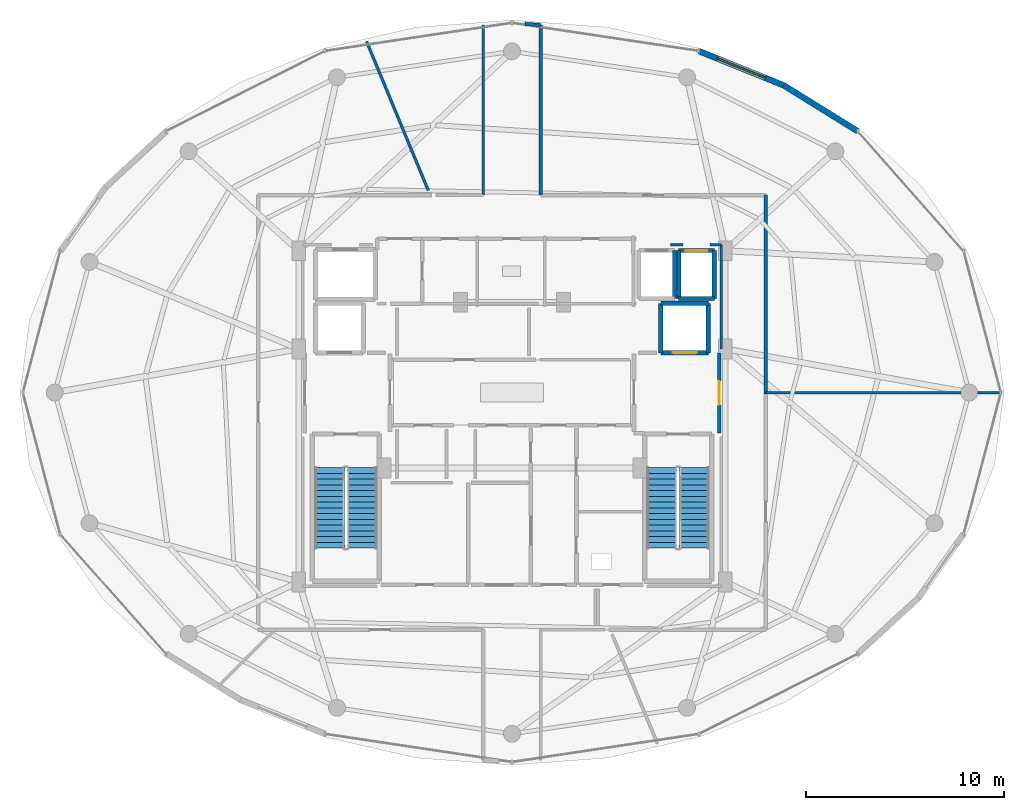
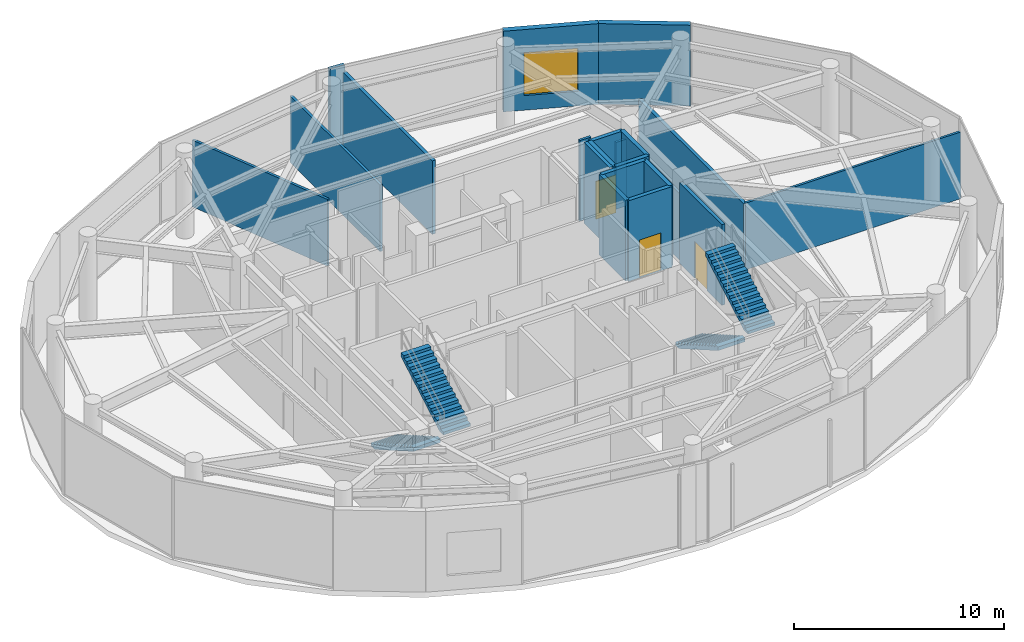
# One storey, part 22 of 24: 21 walls, 4 stair flights, 3 doors, 1 window, 4 openings, 2 elements without a shape of their own.
"""IFC4 building model written with IfcOpenShell, lengths in metres."""

from ifc_helpers import new_model, si_unit, direction, frame, frame_2d, origin, place, context, subcontext, project, spatial, polyline, rectangle, outline, extrude, material, layer, layer_set, type_object, element, fill, aggregate, save


model = new_model("IFC4")

# Units and contexts
model_context = context("Model", 3, precision=1e-05, world=origin(), true_north=direction((0.0, 1.0)))
body_context = subcontext(model_context, "Body", "Model", "MODEL_VIEW")
ifc_project = project(units=[si_unit("LENGTHUNIT", "METRE"), si_unit("AREAUNIT", "SQUARE_METRE"), si_unit("VOLUMEUNIT", "CUBIC_METRE"), si_unit("PLANEANGLEUNIT", "RADIAN"), si_unit("MASSUNIT", "GRAM", prefix="KILO")], contexts=[model_context])

# Site, building, storey
site_placement = place(None, origin())
site = spatial("IfcSite", under=ifc_project, at=site_placement, CompositionType="ELEMENT")
building_placement = place(site_placement, origin())
building = spatial("IfcBuilding", under=site, at=building_placement, Name="Vorneva Point Tower", CompositionType="ELEMENT")
storey_placement = place(building_placement, frame((0.0, 0.0, 285.39990234375)))
storey = spatial("IfcBuildingStorey", under=building, at=storey_placement, Name="L77", CompositionType="ELEMENT", Elevation=285.39990234375)

# Wall, opening, door
ifc_material_1 = material(Name="Concrete B60 (C50/60)", Category="concrete")
ifc_layer_1 = layer(ifc_material_1, 0.35009765625)
ifc_layer_set_1 = layer_set([ifc_layer_1], Name="Concrete B60 (C50/60)")
wall_type_1 = type_object("IfcWallType", Name="WL-CORE-350", PredefinedType="SHEAR", material=ifc_layer_set_1)
wall_1_placement = place(storey_placement, frame((45.5, 28.0, 0.0), z_axis=(0.0, 0.0, 1.0), x_axis=(1.0, 0.0, 0.0)))
wall_1 = element("IfcWall", 1, at=wall_1_placement, inside=storey, type_object=wall_type_1, Name="L77 Lift FFL2 Shaft Wall -Y", PredefinedType="SHEAR", context=body_context, shape_type="SweptSolid", body=[
    extrude(rectangle(XDim=2.39990234375, YDim=0.219970703125, at=frame_2d((1.199951171875, 0.0))), origin(), (0.0, 0.0, 1.0), 4.690185546875),
])
opening_1_placement = place(wall_1_placement, frame((0.60009765625, 0.0, 0.0)))
opening_1 = element("IfcOpeningElement", 2, at=opening_1_placement, cuts=wall_1, Name="Opening LD-02", PredefinedType="OPENING", context=body_context, shape_type="SweptSolid", body=[
    extrude(rectangle(XDim=1.199951171875, YDim=2.199951171875, at=frame_2d((0.60009765625, 1.10009765625))), frame((0.0, 0.125, 0.0), z_axis=(0.0, -1.0, 0.0), x_axis=(1.0, 0.0, 0.0)), (0.0, 0.0, 1.0), 0.249755859375),
])
ifc_material_2 = material(Name="Brushed stainless steel S304", Category="steel")
door_type_1 = type_object("IfcDoorType", Name="LD-FIRE-1200", OperationType="SLIDING_TO_LEFT", PredefinedType="DOOR", material=ifc_material_2)
door_1_placement = place(opening_1_placement, origin())
door_1 = element("IfcDoor", 3, at=door_1_placement, inside=storey, type_object=door_type_1, Name="L77 Lift FFL2 Sliding Landing Door", OperationType="SLIDING_TO_LEFT", OverallHeight=2.199951171875, OverallWidth=1.199951171875, PredefinedType="DOOR", context=body_context, shape_type="SweptSolid", body=[
    extrude(rectangle(XDim=1.199951171875, YDim=2.199951171875, at=frame_2d((0.60009765625, 1.10009765625))), frame((0.0, 0.02490234375, 0.0), z_axis=(0.0, -1.0, 0.0), x_axis=(1.0, 0.0, 0.0)), (0.0, 0.0, 1.0), 0.050048828125),
])
fill(opening_1, door_1)

# Walls
wall_2_placement = place(storey_placement, frame((47.89990234375, 28.0, 0.0), z_axis=(0.0, 0.0, 1.0), x_axis=(0.0, 1.0, 0.0)))
element("IfcWall", 4, at=wall_2_placement, inside=storey, type_object=wall_type_1, Name="L77 Lift FFL2 Shaft Wall +X", PredefinedType="SHEAR", context=body_context, shape_type="SweptSolid", body=[
    extrude(rectangle(XDim=2.5, YDim=0.219970703125, at=frame_2d((1.25, 0.0))), origin(), (0.0, 0.0, 1.0), 4.690185546875),
])
wall_3_placement = place(storey_placement, frame((47.89990234375, 30.5, 0.0), z_axis=(0.0, 0.0, 1.0), x_axis=(-1.0, 0.0, 0.0)))
element("IfcWall", 5, at=wall_3_placement, inside=storey, type_object=wall_type_1, Name="L77 Lift FFL2 Shaft Wall +Y", PredefinedType="SHEAR", context=body_context, shape_type="SweptSolid", body=[
    extrude(rectangle(XDim=2.39990234375, YDim=0.219970703125, at=frame_2d((1.199951171875, 0.0))), origin(), (0.0, 0.0, 1.0), 4.690185546875),
])
wall_4_placement = place(storey_placement, frame((45.5, 30.5, 0.0), z_axis=(0.0, 0.0, 1.0), x_axis=(0.0, -1.0, 0.0)))
element("IfcWall", 6, at=wall_4_placement, inside=storey, type_object=wall_type_1, Name="L77 Lift FFL2 Shaft Wall -X", PredefinedType="SHEAR", context=body_context, shape_type="SweptSolid", body=[
    extrude(rectangle(XDim=2.5, YDim=0.219970703125, at=frame_2d((1.25, 0.0))), origin(), (0.0, 0.0, 1.0), 4.690185546875),
])
ifc_material_3 = material(Name="Precast concrete B50 (C40/50)", Category="concrete")
ifc_layer_2 = layer(ifc_material_3, 0.300048828125)
ifc_layer_set_2 = layer_set([ifc_layer_2], Name="Precast concrete B50 (C40/50)")
wall_type_2 = type_object("IfcWallType", Name="WL-EXT-300", PredefinedType="STANDARD", material=ifc_layer_set_2)
wall_5_placement = place(storey_placement, frame((55.43017578125, 39.17333984375, 0.0), z_axis=(0.0, 0.0, 1.0), x_axis=(-0.849803177952, 0.527100141096, 0.0)))
element("IfcWall", 7, at=wall_5_placement, inside=storey, type_object=wall_type_2, Name="L77 Pale-Metal Facade Spandrel Wall 03.1", PredefinedType="STANDARD", context=body_context, shape_type="SweptSolid", body=[
    extrude(rectangle(XDim=4.3955078125, YDim=0.300048828125, at=frame_2d((2.19775390625, 0.0))), origin(), (0.0, 0.0, 1.0), 4.690185546875),
])

# Wall, opening, window
wall_6_placement = place(storey_placement, frame((51.69482421875, 41.490234375, 0.0), z_axis=(0.0, 0.0, 1.0), x_axis=(-0.927196432407, 0.374575460663, 0.0)))
wall_6 = element("IfcWall", 8, at=wall_6_placement, inside=storey, type_object=wall_type_2, Name="L77 Pale-Metal Facade Spandrel Wall 03.2", PredefinedType="STANDARD", context=body_context, shape_type="SweptSolid", body=[
    extrude(rectangle(XDim=4.596435546875, YDim=0.300048828125, at=frame_2d((2.29833984375, 0.0))), origin(), (0.0, 0.0, 1.0), 4.690185546875),
])
opening_2_placement = place(wall_6_placement, frame((0.998291015625, 0.0, 0.85009765625)))
opening_2 = element("IfcOpeningElement", 9, at=opening_2_placement, cuts=wall_6, Name="Opening W-06", PredefinedType="OPENING", context=body_context, shape_type="SweptSolid", body=[
    extrude(rectangle(XDim=2.60009765625, YDim=2.5, at=frame_2d((1.300048828125, 1.25))), frame((0.0, 0.1650390625, 0.0), z_axis=(0.0, -1.0, 0.0), x_axis=(1.0, 0.0, 0.0)), (0.0, 0.0, 1.0), 0.329833984375),
])
ifc_material_4 = material(Name="Double low-e laminated glass IGU", Category="glass")
window_type = type_object("IfcWindowType", Name="WN-OBS-2600", PartitioningType="SINGLE_PANEL", PredefinedType="WINDOW", material=ifc_material_4)
window_placement = place(opening_2_placement, origin())
window = element("IfcWindow", 10, at=window_placement, inside=storey, type_object=window_type, Name="L77 Facade Window 03", OverallHeight=2.5, OverallWidth=2.60009765625, PartitioningType="SINGLE_PANEL", PredefinedType="WINDOW", context=body_context, shape_type="SweptSolid", body=[
    extrude(rectangle(XDim=2.60009765625, YDim=2.5, at=frame_2d((1.300048828125, 1.25))), frame((0.0, 0.030029296875, 0.0), z_axis=(0.0, -1.0, 0.0), x_axis=(1.0, 0.0, 0.0)), (0.0, 0.0, 1.0), 0.06005859375),
])
fill(opening_2, window)

# Walls
ifc_material_5 = material(Name="Fire-rated acoustic gypsum stud partition", Category="gypsum")
ifc_layer_3 = layer(ifc_material_5, 0.125)
ifc_layer_set_3 = layer_set([ifc_layer_3], Name="Fire-rated acoustic gypsum stud partition")
wall_type_3 = type_object("IfcWallType", Name="WL-PART-125", PredefinedType="PARTITIONING", material=ifc_layer_set_3)
wall_7_placement = place(storey_placement, frame((50.800048828125, 26.0, 0.0), z_axis=(0.0, 0.0, 1.0), x_axis=(1.0, 0.0, 0.0)))
element("IfcWall", 11, at=wall_7_placement, inside=storey, type_object=wall_type_3, Name="L77 Interior Partition 047", PredefinedType="PARTITIONING", context=body_context, shape_type="SweptSolid", body=[
    extrude(rectangle(XDim=11.848876953125, YDim=0.125, at=frame_2d((5.92431640625, 0.0))), origin(), (0.0, 0.0, 1.0), 3.882080078125),
])
ifc_layer_4 = layer(ifc_material_5, 0.139892578125)
ifc_layer_set_4 = layer_set([ifc_layer_4], Name="Fire-rated acoustic gypsum stud partition")
wall_type_4 = type_object("IfcWallType", Name="WL-PART-140", PredefinedType="PARTITIONING", material=ifc_layer_set_4)
wall_8_placement = place(storey_placement, frame((36.550048828125, 44.52099609375, 0.0), z_axis=(0.0, 0.0, 1.0), x_axis=(0.0, -1.0, 0.0)))
element("IfcWall", 12, at=wall_8_placement, inside=storey, type_object=wall_type_4, Name="L77 Interior Closure Partition 060", PredefinedType="PARTITIONING", context=body_context, shape_type="SweptSolid", body=[
    extrude(rectangle(XDim=8.571044921875, YDim=0.139892578125, at=frame_2d((4.28564453125, 0.0))), origin(), (0.0, 0.0, 1.0), 3.882080078125),
])
wall_9_placement = place(storey_placement, frame((48.550048828125, 28.196044921875, 0.0), z_axis=(0.0, 0.0, 1.0), x_axis=(0.0, 1.0, 0.0)))
element("IfcWall", 13, at=wall_9_placement, inside=storey, type_object=wall_type_4, Name="L77 Interior Closure Partition 067", PredefinedType="PARTITIONING", context=body_context, shape_type="SweptSolid", body=[
    extrude(rectangle(XDim=5.25390625, YDim=0.139892578125, at=frame_2d((2.626953125, 0.0))), origin(), (0.0, 0.0, 1.0), 3.882080078125),
])
wall_10_placement = place(storey_placement, frame((48.550048828125, 33.449951171875, 0.0), z_axis=(0.0, 0.0, 1.0), x_axis=(-1.0, 0.0, 0.0)))
element("IfcWall", 14, at=wall_10_placement, inside=storey, type_object=wall_type_4, Name="L77 Interior Closure Partition 068", PredefinedType="PARTITIONING", context=body_context, shape_type="SweptSolid", body=[
    extrude(rectangle(XDim=0.55908203125, YDim=0.139892578125, at=frame_2d((0.279541015625, 0.0))), origin(), (0.0, 0.0, 1.0), 3.882080078125),
])
wall_11_placement = place(storey_placement, frame((46.60888671875, 33.449951171875, 0.0), z_axis=(0.0, 0.0, 1.0), x_axis=(-1.0, 0.0, 0.0)))
element("IfcWall", 15, at=wall_11_placement, inside=storey, type_object=wall_type_4, Name="L77 Interior Closure Partition 069", PredefinedType="PARTITIONING", context=body_context, shape_type="SweptSolid", body=[
    extrude(rectangle(XDim=0.617919921875, YDim=0.139892578125, at=frame_2d((0.30908203125, 0.0))), origin(), (0.0, 0.0, 1.0), 4.690185546875),
])
wall_12_placement = place(storey_placement, frame((33.779052734375, 36.19091796875, 0.0), z_axis=(0.0, 0.0, 1.0), x_axis=(-0.382750958464, 0.923851559394, 0.0)))
element("IfcWall", 16, at=wall_12_placement, inside=storey, type_object=wall_type_4, Name="L77 Interior Closure Partition 076", PredefinedType="PARTITIONING", context=body_context, shape_type="SweptSolid", body=[
    extrude(rectangle(XDim=8.12060546875, YDim=0.139892578125, at=frame_2d((4.060302734375, 0.0))), origin(), (0.0, 0.0, 1.0), 3.882080078125),
])

# Wall, opening, door
ifc_material_6 = material(Name="Autoclaved aerated concrete blockwork", Category="masonry")
ifc_layer_5 = layer(ifc_material_6, 0.179931640625)
ifc_layer_set_5 = layer_set([ifc_layer_5], Name="Autoclaved aerated concrete blockwork")
wall_type_5 = type_object("IfcWallType", Name="WL-PART-180", PredefinedType="PARTITIONING", material=ifc_layer_set_5)
wall_13_placement = place(storey_placement, frame((48.449951171875, 23.949951171875, 0.0), z_axis=(0.0, 0.0, 1.0), x_axis=(0.0, 1.0, 0.0)))
wall_13 = element("IfcWall", 17, at=wall_13_placement, inside=storey, type_object=wall_type_5, Name="L77 Interior Partition 005", PredefinedType="PARTITIONING", context=body_context, shape_type="SweptSolid", body=[
    extrude(rectangle(XDim=4.050048828125, YDim=0.179931640625, at=frame_2d((2.02490234375, 0.0))), origin(), (0.0, 0.0, 1.0), 4.690185546875),
])
opening_3_placement = place(wall_13_placement, frame((1.425048828125, 0.0, 0.0)))
opening_3 = element("IfcOpeningElement", 18, at=opening_3_placement, cuts=wall_13, Name="Opening FD-02", PredefinedType="OPENING", context=body_context, shape_type="SweptSolid", body=[
    extrude(rectangle(XDim=1.199951171875, YDim=2.14990234375, at=frame_2d((0.60009765625, 1.074951171875))), frame((0.0, 0.10498046875, 0.0), z_axis=(0.0, -1.0, 0.0), x_axis=(1.0, 0.0, 0.0)), (0.0, 0.0, 1.0), 0.209716796875),
])
ifc_material_7 = material(Name="Fire-rated powder-coated steel", Category="steel")
door_type_2 = type_object("IfcDoorType", Name="DR-FFL-1200", OperationType="NOTDEFINED", PredefinedType="DOOR", material=ifc_material_7)
door_2_placement = place(opening_3_placement, origin())
door_2 = element("IfcDoor", 19, at=door_2_placement, inside=storey, type_object=door_type_2, Name="L77 Door East Firefighting Lobby / L77 Circulation Corridor", OperationType="SINGLE_SWING_LEFT", OverallHeight=2.14990234375, OverallWidth=1.199951171875, PredefinedType="DOOR", context=body_context, shape_type="SweptSolid", body=[
    extrude(rectangle(XDim=1.199951171875, YDim=2.14990234375, at=frame_2d((0.60009765625, 1.074951171875))), frame((0.0, 0.02490234375, 0.0), z_axis=(0.0, -1.0, 0.0), x_axis=(1.0, 0.0, 0.0)), (0.0, 0.0, 1.0), 0.050048828125),
])
fill(opening_3, door_2)

# Walls
wall_14_placement = place(storey_placement, frame((39.449951171875, 44.52099609375, 0.0), z_axis=(0.0, 0.0, 1.0), x_axis=(-0.997215374878, 0.074575439036, 0.0)))
element("IfcWall", 20, at=wall_14_placement, inside=storey, type_object=wall_type_5, Name="L77 Interior Partition 035", PredefinedType="PARTITIONING", context=body_context, shape_type="SweptSolid", body=[
    extrude(rectangle(XDim=0.792236328125, YDim=0.179931640625, at=frame_2d((0.39599609375, 0.0))), origin(), (0.0, 0.0, 1.0), 4.690185546875),
])
wall_15_placement = place(storey_placement, frame((50.800048828125, 25.93994140625, 0.0), z_axis=(0.0, 0.0, 1.0), x_axis=(0.0, 1.0, 0.0)))
element("IfcWall", 21, at=wall_15_placement, inside=storey, type_object=wall_type_5, Name="L77 Interior Partition 036", PredefinedType="PARTITIONING", context=body_context, shape_type="SweptSolid", body=[
    extrude(rectangle(XDim=10.010009765625, YDim=0.179931640625, at=frame_2d((5.0048828125, 0.0))), origin(), (0.0, 0.0, 1.0), 3.882080078125),
])
wall_16_placement = place(storey_placement, frame((39.449951171875, 35.949951171875, 0.0), z_axis=(0.0, 0.0, 1.0), x_axis=(0.0, 1.0, 0.0)))
element("IfcWall", 22, at=wall_16_placement, inside=storey, type_object=wall_type_5, Name="L77 Interior Partition 038", PredefinedType="PARTITIONING", context=body_context, shape_type="SweptSolid", body=[
    extrude(rectangle(XDim=8.571044921875, YDim=0.179931640625, at=frame_2d((4.28564453125, 0.0))), origin(), (0.0, 0.0, 1.0), 4.274169921875),
])
ifc_material_8 = material(Name="Concrete B50 (C40/50)", Category="concrete")
ifc_layer_6 = layer(ifc_material_8, 0.219970703125)
ifc_layer_set_6 = layer_set([ifc_layer_6], Name="Concrete B50 (C40/50)")
wall_type_6 = type_object("IfcWallType", Name="WL-SHFT-220", PredefinedType="SOLIDWALL", material=ifc_layer_set_6)
wall_17_placement = place(storey_placement, frame((46.199951171875, 30.739990234375, 0.0), z_axis=(0.0, 0.0, 1.0), x_axis=(0.0, 1.0, 0.0)))
element("IfcWall", 23, at=wall_17_placement, inside=storey, type_object=wall_type_6, Name="L77 Lift EX1 Shaft Wall +X", PredefinedType="SOLIDWALL", context=body_context, shape_type="SweptSolid", body=[
    extrude(rectangle(XDim=2.419921875, YDim=0.219970703125, at=frame_2d((1.2099609375, 0.0))), origin(), (0.0, 0.0, 1.0), 4.690185546875),
])
wall_18_placement = place(storey_placement, frame((46.39990234375, 30.739990234375, 0.0), z_axis=(0.0, 0.0, 1.0), x_axis=(1.0, 0.0, 0.0)))
element("IfcWall", 24, at=wall_18_placement, inside=storey, type_object=wall_type_6, Name="L77 Lift EX2 Shaft Wall -Y", PredefinedType="SOLIDWALL", context=body_context, shape_type="SweptSolid", body=[
    extrude(rectangle(XDim=1.800048828125, YDim=0.219970703125, at=frame_2d((0.89990234375, 0.0))), origin(), (0.0, 0.0, 1.0), 4.690185546875),
])
wall_19_placement = place(storey_placement, frame((48.199951171875, 30.739990234375, 0.0), z_axis=(0.0, 0.0, 1.0), x_axis=(0.0, 1.0, 0.0)))
element("IfcWall", 25, at=wall_19_placement, inside=storey, type_object=wall_type_6, Name="L77 Lift EX2 Shaft Wall +X", PredefinedType="SOLIDWALL", context=body_context, shape_type="SweptSolid", body=[
    extrude(rectangle(XDim=2.419921875, YDim=0.219970703125, at=frame_2d((1.2099609375, 0.0))), origin(), (0.0, 0.0, 1.0), 4.690185546875),
])

# Wall, opening, door
wall_20_placement = place(storey_placement, frame((48.199951171875, 33.159912109375, 0.0), z_axis=(0.0, 0.0, 1.0), x_axis=(-1.0, 0.0, 0.0)))
wall_20 = element("IfcWall", 26, at=wall_20_placement, inside=storey, type_object=wall_type_6, Name="L77 Lift EX2 Shaft Wall +Y", PredefinedType="SOLIDWALL", context=body_context, shape_type="SweptSolid", body=[
    extrude(rectangle(XDim=1.800048828125, YDim=0.219970703125, at=frame_2d((0.89990234375, 0.0))), origin(), (0.0, 0.0, 1.0), 4.690185546875),
])
opening_4_placement = place(wall_20_placement, frame((0.35009765625, 0.0, 0.0)))
opening_4 = element("IfcOpeningElement", 27, at=opening_4_placement, cuts=wall_20, Name="Opening LD-01", PredefinedType="OPENING", context=body_context, shape_type="SweptSolid", body=[
    extrude(rectangle(XDim=1.10009765625, YDim=2.199951171875, at=frame_2d((0.550048828125, 1.10009765625))), frame((0.0, 0.125, 0.0), z_axis=(0.0, -1.0, 0.0), x_axis=(1.0, 0.0, 0.0)), (0.0, 0.0, 1.0), 0.249755859375),
])
door_type_3 = type_object("IfcDoorType", Name="LD-PASS-1100", OperationType="SLIDING_TO_LEFT", PredefinedType="DOOR", material=ifc_material_2)
door_3_placement = place(opening_4_placement, origin())
door_3 = element("IfcDoor", 28, at=door_3_placement, inside=storey, type_object=door_type_3, Name="L77 Lift EX2 Sliding Landing Door", OperationType="SLIDING_TO_LEFT", OverallHeight=2.199951171875, OverallWidth=1.10009765625, PredefinedType="DOOR", context=body_context, shape_type="SweptSolid", body=[
    extrude(rectangle(XDim=1.10009765625, YDim=2.199951171875, at=frame_2d((0.550048828125, 1.10009765625))), frame((0.0, 0.02490234375, 0.0), z_axis=(0.0, -1.0, 0.0), x_axis=(1.0, 0.0, 0.0)), (0.0, 0.0, 1.0), 0.050048828125),
])
fill(opening_4, door_3)

# Wall
wall_21_placement = place(storey_placement, frame((46.39990234375, 33.159912109375, 0.0), z_axis=(0.0, 0.0, 1.0), x_axis=(0.0, -1.0, 0.0)))
element("IfcWall", 29, at=wall_21_placement, inside=storey, type_object=wall_type_6, Name="L77 Lift EX2 Shaft Wall -X", PredefinedType="SOLIDWALL", context=body_context, shape_type="SweptSolid", body=[
    extrude(rectangle(XDim=2.419921875, YDim=0.219970703125, at=frame_2d((1.2099609375, 0.0))), origin(), (0.0, 0.0, 1.0), 4.690185546875),
])

# Stair, stair flights
stair_type = type_object("IfcStairType", Name="ST-DOG-1500", PredefinedType="HALF_TURN_STAIR", material=ifc_material_8)
stair_1_placement = place(storey_placement, origin())
stair_1 = element("IfcStair", 30, at=stair_1_placement, inside=storey, type_object=stair_type, Name="L77 ST1", PredefinedType="HALF_TURN_STAIR")
stair_flight_type = type_object("IfcStairFlightType", Name="STF-1500", PredefinedType="STRAIGHT", material=ifc_material_8)
stair_flight_1_placement = place(storey_placement, frame((28.800048828125, 22.219970703125, 0.0), z_axis=(0.0, 0.0, 1.0), x_axis=(0.0, -1.0, 0.0)))
stair_flight_1 = element("IfcStairFlight", 31, at=stair_flight_1_placement, type_object=stair_flight_type, Name="ST1 flight 1", NumberOfRisers=15, NumberOfTreads=14, PredefinedType="STRAIGHT", RiserHeight=0.166666667, TreadLength=0.29, context=body_context, shape_type="SweptSolid", body=[
    extrude(outline(polyline([(0.0, 0.0), (0.0, 0.166748046875), (0.2900390625, 0.166748046875), (0.2900390625, 0.333251953125), (0.580078125, 0.333251953125), (0.580078125, 0.5), (0.8701171875, 0.5), (0.8701171875, 0.666748046875), (1.159912109375, 0.666748046875), (1.159912109375, 0.833251953125), (1.449951171875, 0.833251953125), (1.449951171875, 1.0), (1.739990234375, 1.0), (1.739990234375, 1.166748046875), (2.030029296875, 1.166748046875), (2.030029296875, 1.333251953125), (2.320068359375, 1.333251953125), (2.320068359375, 1.5), (2.610107421875, 1.5), (2.610107421875, 1.666748046875), (2.89990234375, 1.666748046875), (2.89990234375, 1.833251953125), (3.18994140625, 1.833251953125), (3.18994140625, 2.0), (3.47998046875, 2.0), (3.47998046875, 2.166748046875), (3.77001953125, 2.166748046875), (3.77001953125, 2.333251953125), (4.06005859375, 2.333251953125), (4.06005859375, 2.5), (4.06005859375, 2.125732421875), (0.361083984375, 0.0), (0.0, 0.0)])), frame((0.0, 0.75, 0.0), z_axis=(0.0, -1.0, 0.0), x_axis=(1.0, 0.0, 0.0)), (0.0, 0.0, 1.0), 1.5),
])
stair_flight_2_placement = place(storey_placement, frame((30.449951171875, 18.159912109375, 2.5), z_axis=(0.0, 0.0, 1.0), x_axis=(0.0, 1.0, 0.0)))
stair_flight_2 = element("IfcStairFlight", 32, at=stair_flight_2_placement, type_object=stair_flight_type, Name="ST1 flight 2", NumberOfRisers=15, NumberOfTreads=14, PredefinedType="STRAIGHT", RiserHeight=0.166666667, TreadLength=0.29, context=body_context, shape_type="SweptSolid", body=[
    extrude(outline(polyline([(0.0, 0.0), (0.0, 0.166748046875), (0.2900390625, 0.166748046875), (0.2900390625, 0.333251953125), (0.580078125, 0.333251953125), (0.580078125, 0.5), (0.8701171875, 0.5), (0.8701171875, 0.666748046875), (1.159912109375, 0.666748046875), (1.159912109375, 0.833251953125), (1.449951171875, 0.833251953125), (1.449951171875, 1.0), (1.739990234375, 1.0), (1.739990234375, 1.166748046875), (2.030029296875, 1.166748046875), (2.030029296875, 1.333251953125), (2.320068359375, 1.333251953125), (2.320068359375, 1.5), (2.610107421875, 1.5), (2.610107421875, 1.666748046875), (2.89990234375, 1.666748046875), (2.89990234375, 1.833251953125), (3.18994140625, 1.833251953125), (3.18994140625, 2.0), (3.47998046875, 2.0), (3.47998046875, 2.166748046875), (3.77001953125, 2.166748046875), (3.77001953125, 2.333251953125), (4.06005859375, 2.333251953125), (4.06005859375, 2.5), (4.06005859375, 2.125732421875), (0.361083984375, 0.0), (0.0, 0.0)])), frame((0.0, 0.75, 0.0), z_axis=(0.0, -1.0, 0.0), x_axis=(1.0, 0.0, 0.0)), (0.0, 0.0, 1.0), 1.5),
])
aggregate(stair_1, [stair_flight_1, stair_flight_2])

stair_2_placement = place(storey_placement, origin())
stair_2 = element("IfcStair", 33, at=stair_2_placement, inside=storey, type_object=stair_type, Name="L77 ST2", PredefinedType="HALF_TURN_STAIR")
stair_flight_3_placement = place(storey_placement, frame((45.550048828125, 22.219970703125, 0.0), z_axis=(0.0, 0.0, 1.0), x_axis=(0.0, -1.0, 0.0)))
stair_flight_3 = element("IfcStairFlight", 34, at=stair_flight_3_placement, type_object=stair_flight_type, Name="ST2 flight 1", NumberOfRisers=15, NumberOfTreads=14, PredefinedType="STRAIGHT", RiserHeight=0.166666667, TreadLength=0.29, context=body_context, shape_type="SweptSolid", body=[
    extrude(outline(polyline([(0.0, 0.0), (0.0, 0.166748046875), (0.2900390625, 0.166748046875), (0.2900390625, 0.333251953125), (0.580078125, 0.333251953125), (0.580078125, 0.5), (0.8701171875, 0.5), (0.8701171875, 0.666748046875), (1.159912109375, 0.666748046875), (1.159912109375, 0.833251953125), (1.449951171875, 0.833251953125), (1.449951171875, 1.0), (1.739990234375, 1.0), (1.739990234375, 1.166748046875), (2.030029296875, 1.166748046875), (2.030029296875, 1.333251953125), (2.320068359375, 1.333251953125), (2.320068359375, 1.5), (2.610107421875, 1.5), (2.610107421875, 1.666748046875), (2.89990234375, 1.666748046875), (2.89990234375, 1.833251953125), (3.18994140625, 1.833251953125), (3.18994140625, 2.0), (3.47998046875, 2.0), (3.47998046875, 2.166748046875), (3.77001953125, 2.166748046875), (3.77001953125, 2.333251953125), (4.06005859375, 2.333251953125), (4.06005859375, 2.5), (4.06005859375, 2.125732421875), (0.361083984375, 0.0), (0.0, 0.0)])), frame((0.0, 0.75, 0.0), z_axis=(0.0, -1.0, 0.0), x_axis=(1.0, 0.0, 0.0)), (0.0, 0.0, 1.0), 1.5),
])
stair_flight_4_placement = place(storey_placement, frame((47.199951171875, 18.159912109375, 2.5), z_axis=(0.0, 0.0, 1.0), x_axis=(0.0, 1.0, 0.0)))
stair_flight_4 = element("IfcStairFlight", 35, at=stair_flight_4_placement, type_object=stair_flight_type, Name="ST2 flight 2", NumberOfRisers=15, NumberOfTreads=14, PredefinedType="STRAIGHT", RiserHeight=0.166666667, TreadLength=0.29, context=body_context, shape_type="SweptSolid", body=[
    extrude(outline(polyline([(0.0, 0.0), (0.0, 0.166748046875), (0.2900390625, 0.166748046875), (0.2900390625, 0.333251953125), (0.580078125, 0.333251953125), (0.580078125, 0.5), (0.8701171875, 0.5), (0.8701171875, 0.666748046875), (1.159912109375, 0.666748046875), (1.159912109375, 0.833251953125), (1.449951171875, 0.833251953125), (1.449951171875, 1.0), (1.739990234375, 1.0), (1.739990234375, 1.166748046875), (2.030029296875, 1.166748046875), (2.030029296875, 1.333251953125), (2.320068359375, 1.333251953125), (2.320068359375, 1.5), (2.610107421875, 1.5), (2.610107421875, 1.666748046875), (2.89990234375, 1.666748046875), (2.89990234375, 1.833251953125), (3.18994140625, 1.833251953125), (3.18994140625, 2.0), (3.47998046875, 2.0), (3.47998046875, 2.166748046875), (3.77001953125, 2.166748046875), (3.77001953125, 2.333251953125), (4.06005859375, 2.333251953125), (4.06005859375, 2.5), (4.06005859375, 2.125732421875), (0.361083984375, 0.0), (0.0, 0.0)])), frame((0.0, 0.75, 0.0), z_axis=(0.0, -1.0, 0.0), x_axis=(1.0, 0.0, 0.0)), (0.0, 0.0, 1.0), 1.5),
])
aggregate(stair_2, [stair_flight_3, stair_flight_4])

save(model, "model.ifc")
